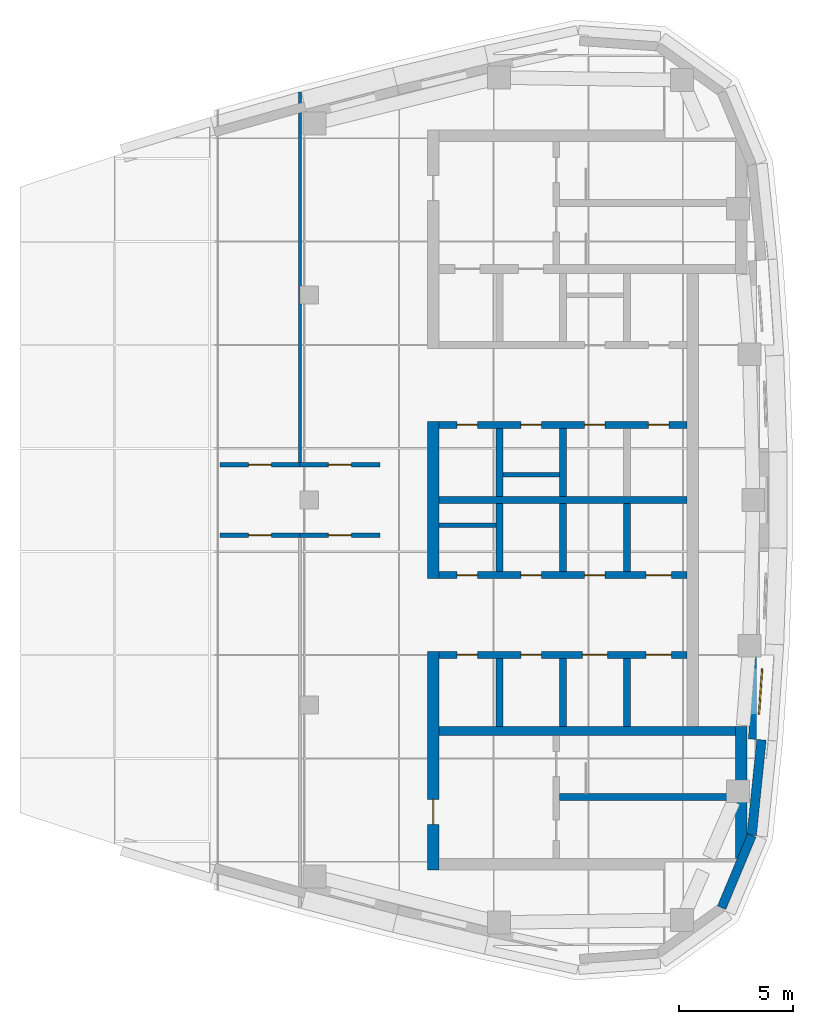
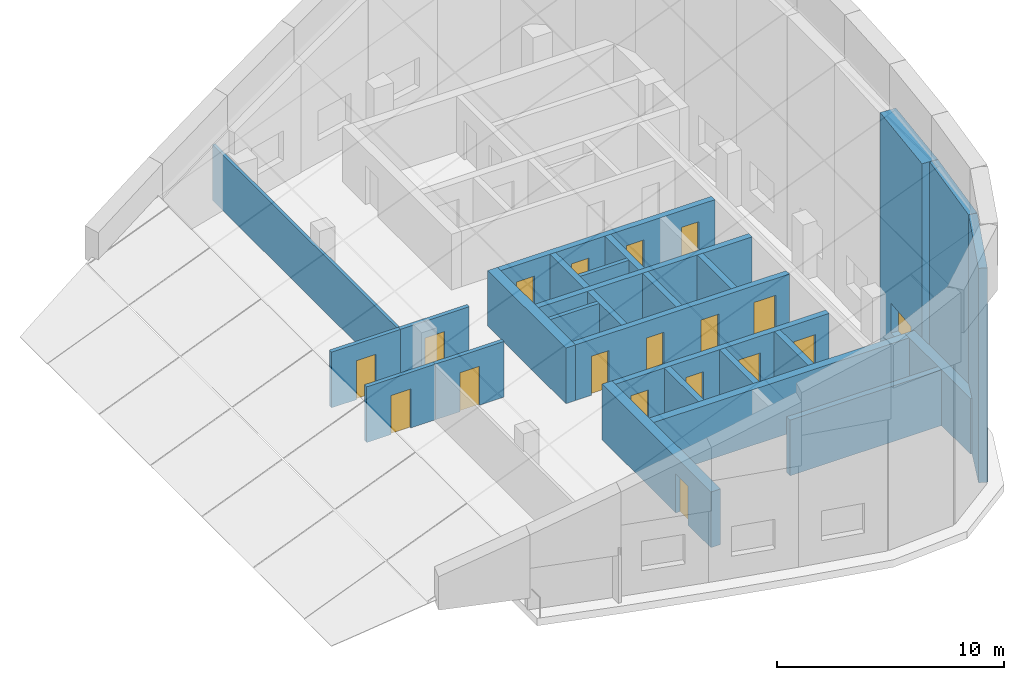
# One storey, part 3 of 6: 27 walls, 17 doors, 1 window, 18 openings.
"""IFC4 building model written with IfcOpenShell, lengths in metres."""

from ifc_helpers import new_model, si_unit, direction, frame, frame_2d, origin, place, context, subcontext, project, spatial, polyline, rectangle, outline, extrude, material, layer, layer_set, type_object, element, fill, save


model = new_model("IFC4")

# Units and contexts
model_context = context("Model", 3, precision=1e-05, world=origin(), true_north=direction((0.0, 1.0)))
body_context = subcontext(model_context, "Body", "Model", "MODEL_VIEW")
ifc_project = project(units=[si_unit("LENGTHUNIT", "METRE"), si_unit("AREAUNIT", "SQUARE_METRE"), si_unit("VOLUMEUNIT", "CUBIC_METRE"), si_unit("PLANEANGLEUNIT", "RADIAN"), si_unit("MASSUNIT", "GRAM", prefix="KILO")], contexts=[model_context])

# Site, building, storey
site_placement = place(None, origin())
site = spatial("IfcSite", under=ifc_project, at=site_placement, CompositionType="ELEMENT")
building_placement = place(site_placement, origin())
building = spatial("IfcBuilding", under=site, at=building_placement, Name="Ostrand Prow Hotel Tower", CompositionType="ELEMENT")
storey_placement = place(building_placement, frame((0.0, 0.0, 337.39990234375)))
storey = spatial("IfcBuildingStorey", under=building, at=storey_placement, Name="C7", CompositionType="ELEMENT", Elevation=337.39990234375)

# Wall
ifc_material_1 = material(Name="Concrete C40/50", Category="concrete")
ifc_layer_1 = layer(ifc_material_1, 0.300048828125)
ifc_layer_set_1 = layer_set([ifc_layer_1], Name="Concrete C40/50")
wall_type_1 = type_object("IfcWallType", Name="Core wall 300 C40/50", PredefinedType="SHEAR", material=ifc_layer_set_1)
wall_1_placement = place(storey_placement, frame((50.699951171875, 0.0, 0.0), z_axis=(0.0, 0.0, 1.0), x_axis=(1.0, 0.0, 0.0)))
element("IfcWall", 1, at=wall_1_placement, inside=storey, type_object=wall_type_1, Name="Core wall PW-C", PredefinedType="SHEAR", context=body_context, shape_type="SweptSolid", body=[
    extrude(rectangle(XDim=10.900146484375, YDim=0.300048828125, at=frame_2d((5.4501953125, 0.0))), origin(), (0.0, 0.0, 1.0), 3.0),
])

# Wall, openings, doors
wall_2_placement = place(storey_placement, frame((50.699951171875, 3.300048828125, 0.0), z_axis=(0.0, 0.0, 1.0), x_axis=(1.0, 0.0, 0.0)))
wall_2 = element("IfcWall", 2, at=wall_2_placement, inside=storey, type_object=wall_type_1, Name="Core wall PW-L1-N", PredefinedType="SHEAR", context=body_context, shape_type="SweptSolid", body=[
    extrude(rectangle(XDim=10.900146484375, YDim=0.300048828125, at=frame_2d((5.4501953125, 0.0))), origin(), (0.0, 0.0, 1.0), 3.0),
])
opening_1_placement = place(wall_2_placement, frame((0.800048828125, 0.0, 0.0)))
opening_1 = element("IfcOpeningElement", 3, at=opening_1_placement, cuts=wall_2, Name="Opening FD2", PredefinedType="OPENING", context=body_context, shape_type="SweptSolid", body=[
    extrude(rectangle(XDim=0.89990234375, YDim=2.10009765625, at=frame_2d((0.449951171875, 1.050048828125))), frame((0.0, 0.159912109375, 0.0), z_axis=(0.0, -1.0, 0.0), x_axis=(1.0, 0.0, 0.0)), (0.0, 0.0, 1.0), 0.320068359375),
])
opening_2_placement = place(wall_2_placement, frame((3.60009765625, 0.0, 0.0)))
opening_2 = element("IfcOpeningElement", 4, at=opening_2_placement, cuts=wall_2, Name="Opening FD2", PredefinedType="OPENING", context=body_context, shape_type="SweptSolid", body=[
    extrude(rectangle(XDim=0.89990234375, YDim=2.10009765625, at=frame_2d((0.449951171875, 1.050048828125))), frame((0.0, 0.159912109375, 0.0), z_axis=(0.0, -1.0, 0.0), x_axis=(1.0, 0.0, 0.0)), (0.0, 0.0, 1.0), 0.320068359375),
])
opening_3_placement = place(wall_2_placement, frame((6.39990234375, 0.0, 0.0)))
opening_3 = element("IfcOpeningElement", 5, at=opening_3_placement, cuts=wall_2, Name="Opening FD2", PredefinedType="OPENING", context=body_context, shape_type="SweptSolid", body=[
    extrude(rectangle(XDim=0.89990234375, YDim=2.10009765625, at=frame_2d((0.449951171875, 1.050048828125))), frame((0.0, 0.159912109375, 0.0), z_axis=(0.0, -1.0, 0.0), x_axis=(1.0, 0.0, 0.0)), (0.0, 0.0, 1.0), 0.320068359375),
])
opening_4_placement = place(wall_2_placement, frame((9.199951171875, 0.0, 0.0)))
opening_4 = element("IfcOpeningElement", 6, at=opening_4_placement, cuts=wall_2, Name="Opening FD2", PredefinedType="OPENING", context=body_context, shape_type="SweptSolid", body=[
    extrude(rectangle(XDim=0.89990234375, YDim=2.10009765625, at=frame_2d((0.449951171875, 1.050048828125))), frame((0.0, 0.159912109375, 0.0), z_axis=(0.0, -1.0, 0.0), x_axis=(1.0, 0.0, 0.0)), (0.0, 0.0, 1.0), 0.320068359375),
])
ifc_material_2 = material(Name="Steel fire door", Category="steel")
door_type_1 = type_object("IfcDoorType", Name="Fire door 900 EI120", OperationType="SINGLE_SWING_LEFT", PredefinedType="DOOR", material=ifc_material_2)
door_1_placement = place(opening_1_placement, origin())
door_1 = element("IfcDoor", 7, at=door_1_placement, inside=storey, type_object=door_type_1, Name="DOOR", OperationType="SINGLE_SWING_LEFT", OverallHeight=2.10009765625, OverallWidth=0.89990234375, PredefinedType="DOOR", context=body_context, shape_type="SweptSolid", body=[
    extrude(rectangle(XDim=0.89990234375, YDim=2.10009765625, at=frame_2d((0.449951171875, 1.050048828125))), frame((0.0, 0.02490234375, 0.0), z_axis=(0.0, -1.0, 0.0), x_axis=(1.0, 0.0, 0.0)), (0.0, 0.0, 1.0), 0.050048828125),
])
fill(opening_1, door_1)
door_2_placement = place(opening_2_placement, origin())
door_2 = element("IfcDoor", 8, at=door_2_placement, inside=storey, type_object=door_type_1, Name="DOOR", OperationType="SINGLE_SWING_LEFT", OverallHeight=2.10009765625, OverallWidth=0.89990234375, PredefinedType="DOOR", context=body_context, shape_type="SweptSolid", body=[
    extrude(rectangle(XDim=0.89990234375, YDim=2.10009765625, at=frame_2d((0.449951171875, 1.050048828125))), frame((0.0, 0.02490234375, 0.0), z_axis=(0.0, -1.0, 0.0), x_axis=(1.0, 0.0, 0.0)), (0.0, 0.0, 1.0), 0.050048828125),
])
fill(opening_2, door_2)
door_3_placement = place(opening_3_placement, origin())
door_3 = element("IfcDoor", 9, at=door_3_placement, inside=storey, type_object=door_type_1, Name="DOOR", OperationType="SINGLE_SWING_LEFT", OverallHeight=2.10009765625, OverallWidth=0.89990234375, PredefinedType="DOOR", context=body_context, shape_type="SweptSolid", body=[
    extrude(rectangle(XDim=0.89990234375, YDim=2.10009765625, at=frame_2d((0.449951171875, 1.050048828125))), frame((0.0, 0.02490234375, 0.0), z_axis=(0.0, -1.0, 0.0), x_axis=(1.0, 0.0, 0.0)), (0.0, 0.0, 1.0), 0.050048828125),
])
fill(opening_3, door_3)
door_4_placement = place(opening_4_placement, origin())
door_4 = element("IfcDoor", 10, at=door_4_placement, inside=storey, type_object=door_type_1, Name="DOOR", OperationType="SINGLE_SWING_LEFT", OverallHeight=2.10009765625, OverallWidth=0.89990234375, PredefinedType="DOOR", context=body_context, shape_type="SweptSolid", body=[
    extrude(rectangle(XDim=0.89990234375, YDim=2.10009765625, at=frame_2d((0.449951171875, 1.050048828125))), frame((0.0, 0.02490234375, 0.0), z_axis=(0.0, -1.0, 0.0), x_axis=(1.0, 0.0, 0.0)), (0.0, 0.0, 1.0), 0.050048828125),
])
fill(opening_4, door_4)

# Walls
for number, where, z_axis, x_axis, name in (
    (11, (53.35009765625, 0.14990234375, 0.0), (0.0, 0.0, 1.0), (0.0, 1.0, 0.0), "Core wall PW-R1-NB"),
    (12, (56.14990234375, 0.14990234375, 0.0), (0.0, 0.0, 1.0), (0.0, 1.0, 0.0), "Core wall PW-R2-NB"),
):
    element("IfcWall", number, at=place(storey_placement, frame(where, z_axis=z_axis, x_axis=x_axis)), inside=storey, type_object=wall_type_1, Name=name, PredefinedType="SHEAR", context=body_context, shape_type="SweptSolid", body=[
        extrude(rectangle(XDim=3.0, YDim=0.300048828125, at=frame_2d((1.5, 0.0))), origin(), (0.0, 0.0, 1.0), 3.0),
    ])

# Wall, openings, doors
wall_3_placement = place(storey_placement, frame((50.699951171875, -3.300048828125, 0.0), z_axis=(0.0, 0.0, 1.0), x_axis=(1.0, 0.0, 0.0)))
wall_3 = element("IfcWall", 13, at=wall_3_placement, inside=storey, type_object=wall_type_1, Name="Core wall PW-L1-S", PredefinedType="SHEAR", context=body_context, shape_type="SweptSolid", body=[
    extrude(rectangle(XDim=10.900146484375, YDim=0.300048828125, at=frame_2d((5.4501953125, 0.0))), origin(), (0.0, 0.0, 1.0), 3.0),
])
opening_5_placement = place(wall_3_placement, frame((9.10009765625, 0.0, 0.0)))
opening_5 = element("IfcOpeningElement", 14, at=opening_5_placement, cuts=wall_3, Name="Opening LD", PredefinedType="OPENING", context=body_context, shape_type="SweptSolid", body=[
    extrude(rectangle(XDim=1.10009765625, YDim=2.10009765625, at=frame_2d((0.550048828125, 1.050048828125))), frame((0.0, 0.159912109375, 0.0), z_axis=(0.0, -1.0, 0.0), x_axis=(1.0, 0.0, 0.0)), (0.0, 0.0, 1.0), 0.320068359375),
])
opening_6_placement = place(wall_3_placement, frame((0.800048828125, 0.0, 0.0)))
opening_6 = element("IfcOpeningElement", 15, at=opening_6_placement, cuts=wall_3, Name="Opening FD2", PredefinedType="OPENING", context=body_context, shape_type="SweptSolid", body=[
    extrude(rectangle(XDim=0.89990234375, YDim=2.10009765625, at=frame_2d((0.449951171875, 1.050048828125))), frame((0.0, 0.159912109375, 0.0), z_axis=(0.0, -1.0, 0.0), x_axis=(1.0, 0.0, 0.0)), (0.0, 0.0, 1.0), 0.320068359375),
])
opening_7_placement = place(wall_3_placement, frame((3.60009765625, 0.0, 0.0)))
opening_7 = element("IfcOpeningElement", 16, at=opening_7_placement, cuts=wall_3, Name="Opening FD2", PredefinedType="OPENING", context=body_context, shape_type="SweptSolid", body=[
    extrude(rectangle(XDim=0.89990234375, YDim=2.10009765625, at=frame_2d((0.449951171875, 1.050048828125))), frame((0.0, 0.159912109375, 0.0), z_axis=(0.0, -1.0, 0.0), x_axis=(1.0, 0.0, 0.0)), (0.0, 0.0, 1.0), 0.320068359375),
])
opening_8_placement = place(wall_3_placement, frame((6.39990234375, 0.0, 0.0)))
opening_8 = element("IfcOpeningElement", 17, at=opening_8_placement, cuts=wall_3, Name="Opening FD2", PredefinedType="OPENING", context=body_context, shape_type="SweptSolid", body=[
    extrude(rectangle(XDim=0.89990234375, YDim=2.10009765625, at=frame_2d((0.449951171875, 1.050048828125))), frame((0.0, 0.159912109375, 0.0), z_axis=(0.0, -1.0, 0.0), x_axis=(1.0, 0.0, 0.0)), (0.0, 0.0, 1.0), 0.320068359375),
])
door_5_placement = place(opening_6_placement, origin())
door_5 = element("IfcDoor", 18, at=door_5_placement, inside=storey, type_object=door_type_1, Name="DOOR", OperationType="SINGLE_SWING_LEFT", OverallHeight=2.10009765625, OverallWidth=0.89990234375, PredefinedType="DOOR", context=body_context, shape_type="SweptSolid", body=[
    extrude(rectangle(XDim=0.89990234375, YDim=2.10009765625, at=frame_2d((0.449951171875, 1.050048828125))), frame((0.0, 0.02490234375, 0.0), z_axis=(0.0, -1.0, 0.0), x_axis=(1.0, 0.0, 0.0)), (0.0, 0.0, 1.0), 0.050048828125),
])
fill(opening_6, door_5)
door_6_placement = place(opening_7_placement, origin())
door_6 = element("IfcDoor", 19, at=door_6_placement, inside=storey, type_object=door_type_1, Name="DOOR", OperationType="SINGLE_SWING_LEFT", OverallHeight=2.10009765625, OverallWidth=0.89990234375, PredefinedType="DOOR", context=body_context, shape_type="SweptSolid", body=[
    extrude(rectangle(XDim=0.89990234375, YDim=2.10009765625, at=frame_2d((0.449951171875, 1.050048828125))), frame((0.0, 0.02490234375, 0.0), z_axis=(0.0, -1.0, 0.0), x_axis=(1.0, 0.0, 0.0)), (0.0, 0.0, 1.0), 0.050048828125),
])
fill(opening_7, door_6)
door_7_placement = place(opening_8_placement, origin())
door_7 = element("IfcDoor", 20, at=door_7_placement, inside=storey, type_object=door_type_1, Name="DOOR", OperationType="SINGLE_SWING_LEFT", OverallHeight=2.10009765625, OverallWidth=0.89990234375, PredefinedType="DOOR", context=body_context, shape_type="SweptSolid", body=[
    extrude(rectangle(XDim=0.89990234375, YDim=2.10009765625, at=frame_2d((0.449951171875, 1.050048828125))), frame((0.0, 0.02490234375, 0.0), z_axis=(0.0, -1.0, 0.0), x_axis=(1.0, 0.0, 0.0)), (0.0, 0.0, 1.0), 0.050048828125),
])
fill(opening_8, door_7)
ifc_material_3 = material(Name="Stainless steel door", Category="steel")
door_type_2 = type_object("IfcDoorType", Name="Lift landing door 1100", OperationType="DOUBLE_DOOR_SLIDING", PredefinedType="DOOR", material=ifc_material_3)
door_8_placement = place(opening_5_placement, origin())
door_8 = element("IfcDoor", 21, at=door_8_placement, inside=storey, type_object=door_type_2, Name="LIFT LANDING DOOR", OperationType="DOUBLE_DOOR_SLIDING", OverallHeight=2.10009765625, OverallWidth=1.10009765625, PredefinedType="DOOR", context=body_context, shape_type="SweptSolid", body=[
    extrude(rectangle(XDim=1.10009765625, YDim=2.10009765625, at=frame_2d((0.550048828125, 1.050048828125))), frame((0.0, 0.02490234375, 0.0), z_axis=(0.0, -1.0, 0.0), x_axis=(1.0, 0.0, 0.0)), (0.0, 0.0, 1.0), 0.050048828125),
])
fill(opening_5, door_8)

wall_4_placement = place(storey_placement, frame((50.699951171875, -6.800048828125, 0.0), z_axis=(0.0, 0.0, 1.0), x_axis=(1.0, 0.0, 0.0)))
wall_4 = element("IfcWall", 22, at=wall_4_placement, inside=storey, type_object=wall_type_1, Name="Core wall PW-L2-S", PredefinedType="SHEAR", context=body_context, shape_type="SweptSolid", body=[
    extrude(rectangle(XDim=10.900146484375, YDim=0.300048828125, at=frame_2d((5.4501953125, 0.0))), origin(), (0.0, 0.0, 1.0), 3.0),
])
opening_9_placement = place(wall_4_placement, frame((6.300048828125, 0.0, 0.0)))
opening_9 = element("IfcOpeningElement", 23, at=opening_9_placement, cuts=wall_4, Name="Opening LD", PredefinedType="OPENING", context=body_context, shape_type="SweptSolid", body=[
    extrude(rectangle(XDim=1.10009765625, YDim=2.10009765625, at=frame_2d((0.550048828125, 1.050048828125))), frame((0.0, 0.159912109375, 0.0), z_axis=(0.0, -1.0, 0.0), x_axis=(1.0, 0.0, 0.0)), (0.0, 0.0, 1.0), 0.320068359375),
])
opening_10_placement = place(wall_4_placement, frame((9.10009765625, 0.0, 0.0)))
opening_10 = element("IfcOpeningElement", 24, at=opening_10_placement, cuts=wall_4, Name="Opening LD", PredefinedType="OPENING", context=body_context, shape_type="SweptSolid", body=[
    extrude(rectangle(XDim=1.10009765625, YDim=2.10009765625, at=frame_2d((0.550048828125, 1.050048828125))), frame((0.0, 0.159912109375, 0.0), z_axis=(0.0, -1.0, 0.0), x_axis=(1.0, 0.0, 0.0)), (0.0, 0.0, 1.0), 0.320068359375),
])
opening_11_placement = place(wall_4_placement, frame((0.800048828125, 0.0, 0.0)))
opening_11 = element("IfcOpeningElement", 25, at=opening_11_placement, cuts=wall_4, Name="Opening FD2", PredefinedType="OPENING", context=body_context, shape_type="SweptSolid", body=[
    extrude(rectangle(XDim=0.89990234375, YDim=2.10009765625, at=frame_2d((0.449951171875, 1.050048828125))), frame((0.0, 0.159912109375, 0.0), z_axis=(0.0, -1.0, 0.0), x_axis=(1.0, 0.0, 0.0)), (0.0, 0.0, 1.0), 0.320068359375),
])
opening_12_placement = place(wall_4_placement, frame((3.60009765625, 0.0, 0.0)))
opening_12 = element("IfcOpeningElement", 26, at=opening_12_placement, cuts=wall_4, Name="Opening FD2", PredefinedType="OPENING", context=body_context, shape_type="SweptSolid", body=[
    extrude(rectangle(XDim=0.89990234375, YDim=2.10009765625, at=frame_2d((0.449951171875, 1.050048828125))), frame((0.0, 0.159912109375, 0.0), z_axis=(0.0, -1.0, 0.0), x_axis=(1.0, 0.0, 0.0)), (0.0, 0.0, 1.0), 0.320068359375),
])
door_9_placement = place(opening_11_placement, origin())
door_9 = element("IfcDoor", 27, at=door_9_placement, inside=storey, type_object=door_type_1, Name="DOOR", OperationType="SINGLE_SWING_LEFT", OverallHeight=2.10009765625, OverallWidth=0.89990234375, PredefinedType="DOOR", context=body_context, shape_type="SweptSolid", body=[
    extrude(rectangle(XDim=0.89990234375, YDim=2.10009765625, at=frame_2d((0.449951171875, 1.050048828125))), frame((0.0, 0.02490234375, 0.0), z_axis=(0.0, -1.0, 0.0), x_axis=(1.0, 0.0, 0.0)), (0.0, 0.0, 1.0), 0.050048828125),
])
fill(opening_11, door_9)
door_10_placement = place(opening_12_placement, origin())
door_10 = element("IfcDoor", 28, at=door_10_placement, inside=storey, type_object=door_type_1, Name="DOOR", OperationType="SINGLE_SWING_LEFT", OverallHeight=2.10009765625, OverallWidth=0.89990234375, PredefinedType="DOOR", context=body_context, shape_type="SweptSolid", body=[
    extrude(rectangle(XDim=0.89990234375, YDim=2.10009765625, at=frame_2d((0.449951171875, 1.050048828125))), frame((0.0, 0.02490234375, 0.0), z_axis=(0.0, -1.0, 0.0), x_axis=(1.0, 0.0, 0.0)), (0.0, 0.0, 1.0), 0.050048828125),
])
fill(opening_12, door_10)
door_11_placement = place(opening_9_placement, origin())
door_11 = element("IfcDoor", 29, at=door_11_placement, inside=storey, type_object=door_type_2, Name="LIFT LANDING DOOR", OperationType="DOUBLE_DOOR_SLIDING", OverallHeight=2.10009765625, OverallWidth=1.10009765625, PredefinedType="DOOR", context=body_context, shape_type="SweptSolid", body=[
    extrude(rectangle(XDim=1.10009765625, YDim=2.10009765625, at=frame_2d((0.550048828125, 1.050048828125))), frame((0.0, 0.02490234375, 0.0), z_axis=(0.0, -1.0, 0.0), x_axis=(1.0, 0.0, 0.0)), (0.0, 0.0, 1.0), 0.050048828125),
])
fill(opening_9, door_11)
door_12_placement = place(opening_10_placement, origin())
door_12 = element("IfcDoor", 30, at=door_12_placement, inside=storey, type_object=door_type_2, Name="LIFT LANDING DOOR", OperationType="DOUBLE_DOOR_SLIDING", OverallHeight=2.10009765625, OverallWidth=1.10009765625, PredefinedType="DOOR", context=body_context, shape_type="SweptSolid", body=[
    extrude(rectangle(XDim=1.10009765625, YDim=2.10009765625, at=frame_2d((0.550048828125, 1.050048828125))), frame((0.0, 0.02490234375, 0.0), z_axis=(0.0, -1.0, 0.0), x_axis=(1.0, 0.0, 0.0)), (0.0, 0.0, 1.0), 0.050048828125),
])
fill(opening_10, door_12)

# Walls
for number, where, z_axis, x_axis, name in (
    (31, (53.35009765625, -3.14990234375, 0.0), (0.0, 0.0, 1.0), (0.0, 1.0, 0.0), "Core wall PW-R1-SB"),
    (32, (53.35009765625, -9.949951171875, 0.0), (0.0, 0.0, 1.0), (0.0, 1.0, 0.0), "Core wall PW-R1-SA"),
    (33, (56.14990234375, -3.14990234375, 0.0), (0.0, 0.0, 1.0), (0.0, 1.0, 0.0), "Core wall PW-R2-SB"),
    (34, (56.14990234375, -9.949951171875, 0.0), (0.0, 0.0, 1.0), (0.0, 1.0, 0.0), "Core wall PW-R2-SA"),
    (35, (58.949951171875, -3.14990234375, 0.0), (0.0, 0.0, 1.0), (0.0, 1.0, 0.0), "Core wall PW-R3-SB"),
    (36, (58.949951171875, -9.949951171875, 0.0), (0.0, 0.0, 1.0), (0.0, 1.0, 0.0), "Core wall PW-R3-SA"),
):
    element("IfcWall", number, at=place(storey_placement, frame(where, z_axis=z_axis, x_axis=x_axis)), inside=storey, type_object=wall_type_1, Name=name, PredefinedType="SHEAR", context=body_context, shape_type="SweptSolid", body=[
        extrude(rectangle(XDim=3.0, YDim=0.300048828125, at=frame_2d((1.5, 0.0))), origin(), (0.0, 0.0, 1.0), 3.0),
    ])
wall_5_placement = place(storey_placement, frame((56.0, -13.050048828125, 0.0), z_axis=(0.0, 0.0, 1.0), x_axis=(1.0, 0.0, 0.0)))
element("IfcWall", 37, at=wall_5_placement, inside=storey, type_object=wall_type_1, Name="Core wall PW-ST2R", PredefinedType="SHEAR", context=body_context, shape_type="SweptSolid", body=[
    extrude(rectangle(XDim=7.719970703125, YDim=0.300048828125, at=frame_2d((3.85986328125, 0.0))), origin(), (0.0, 0.0, 1.0), 3.0),
])
ifc_material_4 = material(Name="Concrete C40/50", Category="concrete")
ifc_layer_2 = layer(ifc_material_4, 0.39990234375)
ifc_layer_set_2 = layer_set([ifc_layer_2], Name="Concrete C40/50")
wall_type_2 = type_object("IfcWallType", Name="Core wall 400 C40/50", PredefinedType="SHEAR", material=ifc_layer_set_2)
wall_6_placement = place(storey_placement, frame((50.699951171875, -10.14990234375, 0.0), z_axis=(0.0, 0.0, 1.0), x_axis=(1.0, 0.0, 0.0)))
element("IfcWall", 38, at=wall_6_placement, inside=storey, type_object=wall_type_2, Name="Core wall PW-BS", PredefinedType="SHEAR", context=body_context, shape_type="SweptSolid", body=[
    extrude(rectangle(XDim=13.02001953125, YDim=0.39990234375, at=frame_2d((6.510009765625, 0.0))), origin(), (0.0, 0.0, 1.0), 3.0),
])
ifc_material_5 = material(Name="Concrete C40/50", Category="concrete")
ifc_layer_3 = layer(ifc_material_5, 0.5)
ifc_layer_set_3 = layer_set([ifc_layer_3], Name="Concrete C40/50")
wall_type_3 = type_object("IfcWallType", Name="Core wall 500 C40/50", PredefinedType="SHEAR", material=ifc_layer_set_3)
wall_7_placement = place(storey_placement, frame((50.449951171875, -3.449951171875, 0.0), z_axis=(0.0, 0.0, 1.0), x_axis=(0.0, 1.0, 0.0)))
element("IfcWall", 39, at=wall_7_placement, inside=storey, type_object=wall_type_3, Name="Core wall CW-W-C", PredefinedType="SHEAR", context=body_context, shape_type="SweptSolid", body=[
    extrude(rectangle(XDim=6.89990234375, YDim=0.5, at=frame_2d((3.449951171875, 0.0))), origin(), (0.0, 0.0, 1.0), 3.0),
])

# Wall, opening, door
wall_8_placement = place(storey_placement, frame((50.449951171875, -16.25, 0.0), z_axis=(0.0, 0.0, 1.0), x_axis=(0.0, 1.0, 0.0)))
wall_8 = element("IfcWall", 40, at=wall_8_placement, inside=storey, type_object=wall_type_3, Name="Core wall CW-W-S", PredefinedType="SHEAR", context=body_context, shape_type="SweptSolid", body=[
    extrude(rectangle(XDim=9.60009765625, YDim=0.5, at=frame_2d((4.800048828125, 0.0))), origin(), (0.0, 0.0, 1.0), 3.0),
])
opening_13_placement = place(wall_8_placement, frame((2.0, 0.0, 0.0)))
opening_13 = element("IfcOpeningElement", 41, at=opening_13_placement, cuts=wall_8, Name="Opening FD1", PredefinedType="OPENING", context=body_context, shape_type="SweptSolid", body=[
    extrude(rectangle(XDim=1.10009765625, YDim=2.10009765625, at=frame_2d((0.550048828125, 1.050048828125))), frame((0.0, 0.260009765625, 0.0), z_axis=(0.0, -1.0, 0.0), x_axis=(1.0, 0.0, 0.0)), (0.0, 0.0, 1.0), 0.52001953125),
])
ifc_material_6 = material(Name="Steel fire door", Category="steel")
door_type_3 = type_object("IfcDoorType", Name="Fire door 1100 EI120", OperationType="SINGLE_SWING_RIGHT", PredefinedType="DOOR", material=ifc_material_6)
door_13_placement = place(opening_13_placement, origin())
door_13 = element("IfcDoor", 42, at=door_13_placement, inside=storey, type_object=door_type_3, Name="FIRE DOOR", OperationType="SINGLE_SWING_RIGHT", OverallHeight=2.10009765625, OverallWidth=1.10009765625, PredefinedType="DOOR", context=body_context, shape_type="SweptSolid", body=[
    extrude(rectangle(XDim=1.10009765625, YDim=2.10009765625, at=frame_2d((0.550048828125, 1.050048828125))), frame((0.0, 0.02490234375, 0.0), z_axis=(0.0, -1.0, 0.0), x_axis=(1.0, 0.0, 0.0)), (0.0, 0.0, 1.0), 0.050048828125),
])
fill(opening_13, door_13)

# Walls
wall_9_placement = place(storey_placement, frame((63.969970703125, -15.75, 0.0), z_axis=(0.0, 0.0, 1.0), x_axis=(0.0, 1.0, 0.0)))
element("IfcWall", 43, at=wall_9_placement, inside=storey, type_object=wall_type_3, Name="Core wall CW-E-S", PredefinedType="SHEAR", context=body_context, shape_type="SweptSolid", body=[
    extrude(rectangle(XDim=5.800048828125, YDim=0.5, at=frame_2d((2.89990234375, 0.0))), origin(), (0.0, 0.0, 1.0), 3.0),
])
ifc_material_7 = material(Name="Plasterboard partition")
ifc_layer_4 = layer(ifc_material_7, 0.14990234375)
ifc_layer_set_4 = layer_set([ifc_layer_4], Name="Plasterboard partition")
wall_type_4 = type_object("IfcWallType", Name="Partition 150 room partition", PredefinedType="PARTITIONING", material=ifc_layer_set_4)
wall_10_placement = place(storey_placement, frame((44.594482421875, 1.542724609375, 0.0), z_axis=(0.0, 0.0, 1.0), x_axis=(0.0, 1.0, 0.0)))
element("IfcWall", 44, at=wall_10_placement, inside=storey, type_object=wall_type_4, Name="ROOM PARTITION", PredefinedType="PARTITIONING", context=body_context, shape_type="SweptSolid", body=[
    extrude(rectangle(XDim=16.3759765625, YDim=0.14990234375, at=frame_2d((8.18798828125, 0.0))), origin(), (0.0, 0.0, 1.0), 3.0),
])

# Wall, opening, door
ifc_material_8 = material(Name="Plasterboard partition")
ifc_layer_5 = layer(ifc_material_8, 0.199951171875)
ifc_layer_set_5 = layer_set([ifc_layer_5], Name="Plasterboard partition")
wall_type_5 = type_object("IfcWallType", Name="Partition 200 corridor wall", PredefinedType="PARTITIONING", material=ifc_layer_set_5)
wall_11_placement = place(storey_placement, frame((41.089111328125, -1.542724609375, 0.0), z_axis=(0.0, 0.0, 1.0), x_axis=(1.0, 0.0, 0.0)))
wall_11 = element("IfcWall", 45, at=wall_11_placement, inside=storey, type_object=wall_type_5, Name="CORRIDOR WALL", PredefinedType="PARTITIONING", context=body_context, shape_type="SweptSolid", body=[
    extrude(rectangle(XDim=3.50537109375, YDim=0.199951171875, at=frame_2d((1.752685546875, 0.0))), origin(), (0.0, 0.0, 1.0), 3.0),
])
opening_14_placement = place(wall_11_placement, frame((1.252685546875, 0.0, 0.0)))
opening_14 = element("IfcOpeningElement", 46, at=opening_14_placement, cuts=wall_11, Name="Opening D1", PredefinedType="OPENING", context=body_context, shape_type="SweptSolid", body=[
    extrude(rectangle(XDim=1.0, YDim=2.10009765625, at=frame_2d((0.5, 1.050048828125))), frame((0.0, 0.10986328125, 0.0), z_axis=(0.0, -1.0, 0.0), x_axis=(1.0, 0.0, 0.0)), (0.0, 0.0, 1.0), 0.219970703125),
])
ifc_material_9 = material(Name="Timber door leaf", Category="wood")
door_type_4 = type_object("IfcDoorType", Name="Guest room door 1000", OperationType="SINGLE_SWING_LEFT", PredefinedType="DOOR", material=ifc_material_9)
door_14_placement = place(opening_14_placement, origin())
door_14 = element("IfcDoor", 47, at=door_14_placement, inside=storey, type_object=door_type_4, Name="DOOR", OperationType="SINGLE_SWING_LEFT", OverallHeight=2.10009765625, OverallWidth=1.0, PredefinedType="DOOR", context=body_context, shape_type="SweptSolid", body=[
    extrude(rectangle(XDim=1.0, YDim=2.10009765625, at=frame_2d((0.5, 1.050048828125))), frame((0.0, 0.02490234375, 0.0), z_axis=(0.0, -1.0, 0.0), x_axis=(1.0, 0.0, 0.0)), (0.0, 0.0, 1.0), 0.050048828125),
])
fill(opening_14, door_14)

wall_12_placement = place(storey_placement, frame((44.594482421875, -1.542724609375, 0.0), z_axis=(0.0, 0.0, 1.0), x_axis=(1.0, 0.0, 0.0)))
wall_12 = element("IfcWall", 48, at=wall_12_placement, inside=storey, type_object=wall_type_5, Name="CORRIDOR WALL", PredefinedType="PARTITIONING", context=body_context, shape_type="SweptSolid", body=[
    extrude(rectangle(XDim=3.505615234375, YDim=0.199951171875, at=frame_2d((1.7529296875, 0.0))), origin(), (0.0, 0.0, 1.0), 3.0),
])
opening_15_placement = place(wall_12_placement, frame((1.252685546875, 0.0, 0.0)))
opening_15 = element("IfcOpeningElement", 49, at=opening_15_placement, cuts=wall_12, Name="Opening D1R", PredefinedType="OPENING", context=body_context, shape_type="SweptSolid", body=[
    extrude(rectangle(XDim=1.0, YDim=2.10009765625, at=frame_2d((0.5, 1.050048828125))), frame((0.0, 0.10986328125, 0.0), z_axis=(0.0, -1.0, 0.0), x_axis=(1.0, 0.0, 0.0)), (0.0, 0.0, 1.0), 0.219970703125),
])
ifc_material_10 = material(Name="Timber door leaf", Category="wood")
door_type_5 = type_object("IfcDoorType", Name="Guest room door 1000 right", OperationType="SINGLE_SWING_RIGHT", PredefinedType="DOOR", material=ifc_material_10)
door_15_placement = place(opening_15_placement, origin())
door_15 = element("IfcDoor", 50, at=door_15_placement, inside=storey, type_object=door_type_5, Name="DOOR", OperationType="SINGLE_SWING_RIGHT", OverallHeight=2.10009765625, OverallWidth=1.0, PredefinedType="DOOR", context=body_context, shape_type="SweptSolid", body=[
    extrude(rectangle(XDim=1.0, YDim=2.10009765625, at=frame_2d((0.5, 1.050048828125))), frame((0.0, 0.02490234375, 0.0), z_axis=(0.0, -1.0, 0.0), x_axis=(1.0, 0.0, 0.0)), (0.0, 0.0, 1.0), 0.050048828125),
])
fill(opening_15, door_15)

wall_13_placement = place(storey_placement, frame((41.089111328125, 1.542724609375, 0.0), z_axis=(0.0, 0.0, 1.0), x_axis=(1.0, 0.0, 0.0)))
wall_13 = element("IfcWall", 51, at=wall_13_placement, inside=storey, type_object=wall_type_5, Name="CORRIDOR WALL", PredefinedType="PARTITIONING", context=body_context, shape_type="SweptSolid", body=[
    extrude(rectangle(XDim=3.50537109375, YDim=0.199951171875, at=frame_2d((1.752685546875, 0.0))), origin(), (0.0, 0.0, 1.0), 3.0),
])
opening_16_placement = place(wall_13_placement, frame((1.252685546875, 0.0, 0.0)))
opening_16 = element("IfcOpeningElement", 52, at=opening_16_placement, cuts=wall_13, Name="Opening D1", PredefinedType="OPENING", context=body_context, shape_type="SweptSolid", body=[
    extrude(rectangle(XDim=1.0, YDim=2.10009765625, at=frame_2d((0.5, 1.050048828125))), frame((0.0, 0.10986328125, 0.0), z_axis=(0.0, -1.0, 0.0), x_axis=(1.0, 0.0, 0.0)), (0.0, 0.0, 1.0), 0.219970703125),
])
door_16_placement = place(opening_16_placement, origin())
door_16 = element("IfcDoor", 53, at=door_16_placement, inside=storey, type_object=door_type_4, Name="DOOR", OperationType="SINGLE_SWING_LEFT", OverallHeight=2.10009765625, OverallWidth=1.0, PredefinedType="DOOR", context=body_context, shape_type="SweptSolid", body=[
    extrude(rectangle(XDim=1.0, YDim=2.10009765625, at=frame_2d((0.5, 1.050048828125))), frame((0.0, 0.02490234375, 0.0), z_axis=(0.0, -1.0, 0.0), x_axis=(1.0, 0.0, 0.0)), (0.0, 0.0, 1.0), 0.050048828125),
])
fill(opening_16, door_16)

wall_14_placement = place(storey_placement, frame((44.594482421875, 1.542724609375, 0.0), z_axis=(0.0, 0.0, 1.0), x_axis=(1.0, 0.0, 0.0)))
wall_14 = element("IfcWall", 54, at=wall_14_placement, inside=storey, type_object=wall_type_5, Name="CORRIDOR WALL", PredefinedType="PARTITIONING", context=body_context, shape_type="SweptSolid", body=[
    extrude(rectangle(XDim=3.505615234375, YDim=0.199951171875, at=frame_2d((1.7529296875, 0.0))), origin(), (0.0, 0.0, 1.0), 3.0),
])
opening_17_placement = place(wall_14_placement, frame((1.252685546875, 0.0, 0.0)))
opening_17 = element("IfcOpeningElement", 55, at=opening_17_placement, cuts=wall_14, Name="Opening D1R", PredefinedType="OPENING", context=body_context, shape_type="SweptSolid", body=[
    extrude(rectangle(XDim=1.0, YDim=2.10009765625, at=frame_2d((0.5, 1.050048828125))), frame((0.0, 0.10986328125, 0.0), z_axis=(0.0, -1.0, 0.0), x_axis=(1.0, 0.0, 0.0)), (0.0, 0.0, 1.0), 0.219970703125),
])
door_17_placement = place(opening_17_placement, origin())
door_17 = element("IfcDoor", 56, at=door_17_placement, inside=storey, type_object=door_type_5, Name="DOOR", OperationType="SINGLE_SWING_RIGHT", OverallHeight=2.10009765625, OverallWidth=1.0, PredefinedType="DOOR", context=body_context, shape_type="SweptSolid", body=[
    extrude(rectangle(XDim=1.0, YDim=2.10009765625, at=frame_2d((0.5, 1.050048828125))), frame((0.0, 0.02490234375, 0.0), z_axis=(0.0, -1.0, 0.0), x_axis=(1.0, 0.0, 0.0)), (0.0, 0.0, 1.0), 0.050048828125),
])
fill(opening_17, door_17)

# Walls
ifc_material_11 = material(Name="Plasterboard partition")
ifc_layer_6 = layer(ifc_material_11, 0.199951171875)
ifc_layer_set_6 = layer_set([ifc_layer_6], Name="Plasterboard partition")
wall_type_6 = type_object("IfcWallType", Name="Partition 200 riser wall", PredefinedType="PARTITIONING", material=ifc_layer_set_6)
for number, where, z_axis, x_axis, name in (
    (57, (53.5, 1.110107421875, 0.0), (0.0, 0.0, 1.0), (1.0, 0.0, 0.0), "RISER WALL"),
    (58, (53.199951171875, -1.110107421875, 0.0), (0.0, 0.0, 1.0), (-1.0, 0.0, 0.0), "RISER WALL"),
):
    element("IfcWall", number, at=place(storey_placement, frame(where, z_axis=z_axis, x_axis=x_axis)), inside=storey, type_object=wall_type_6, Name=name, PredefinedType="PARTITIONING", context=body_context, shape_type="SweptSolid", body=[
        extrude(rectangle(XDim=2.5, YDim=0.199951171875, at=frame_2d((1.25, 0.0))), origin(), (0.0, 0.0, 1.0), 3.0),
    ])
ifc_material_12 = material(Name="Precast concrete C40/50", Category="concrete")
ifc_layer_7 = layer(ifc_material_12, 0.39990234375)
ifc_layer_set_7 = layer_set([ifc_layer_7], Name="Precast concrete C40/50")
wall_type_7 = type_object("IfcWallType", Name="Stone-faced precast wall 400 mm", PredefinedType="NOTDEFINED", material=ifc_layer_set_7)
wall_15_placement = place(storey_placement, frame((63.11181640625, -17.906005859375, 0.0), z_axis=(0.0, 0.0, 1.0), x_axis=(0.385279586197, 0.922799891884, 0.0)))
element("IfcWall", 59, at=wall_15_placement, inside=storey, type_object=wall_type_7, Name="Crown side wall C7 18", PredefinedType="NOTDEFINED", context=body_context, shape_type="SweptSolid", body=[
    extrude(outline(polyline([(0.0, 0.0), (3.444580078125, 0.0), (3.444580078125, 12.093505859375), (0.0, 11.557373046875), (0.0, 0.0)])), frame((0.0, 0.199951171875, 0.0), z_axis=(0.0, -1.0, 0.0), x_axis=(1.0, 0.0, 0.0)), (0.0, 0.0, 1.0), 0.39990234375),
])
wall_16_placement = place(storey_placement, frame((64.43212890625, -14.726806640625, 0.0), z_axis=(0.0, 0.0, 1.0), x_axis=(0.102219795478, 0.994761837533, 0.0)))
element("IfcWall", 60, at=wall_16_placement, inside=storey, type_object=wall_type_7, Name="Crown side wall C7 19", PredefinedType="NOTDEFINED", context=body_context, shape_type="SweptSolid", body=[
    extrude(outline(polyline([(0.0, 0.0), (4.2177734375, 0.0), (4.2177734375, 12.267578125), (0.0, 12.093505859375), (0.0, 0.0)])), frame((0.0, 0.20703125, 0.0), z_axis=(0.0, -1.0, 0.0), x_axis=(1.0, 0.0, 0.0)), (0.0, 0.0, 1.0), 0.413818359375),
])

# Wall, opening, window
wall_17_placement = place(storey_placement, frame((64.67822265625, -10.518798828125, 0.0), z_axis=(0.0, 0.0, 1.0), x_axis=(0.068243871044, 0.997668669481, 0.0)))
wall_17 = element("IfcWall", 61, at=wall_17_placement, inside=storey, type_object=wall_type_7, Name="Crown side wall C7 20", PredefinedType="NOTDEFINED", context=body_context, shape_type="SweptSolid", body=[
    extrude(outline(polyline([(0.0, 0.0), (4.2177734375, 0.0), (4.2177734375, 12.3837890625), (0.0, 12.267578125), (0.0, 0.0)])), frame((0.0, 0.392578125, 0.0), z_axis=(0.0, -1.0, 0.0), x_axis=(1.0, 0.0, 0.0)), (0.0, 0.0, 1.0), 0.784912109375),
])
opening_18_placement = place(wall_17_placement, frame((1.10888671875, 0.0, 1.199951171875)))
opening_18 = element("IfcOpeningElement", 62, at=opening_18_placement, cuts=wall_17, Name="Opening WV1", PredefinedType="OPENING", context=body_context, shape_type="SweptSolid", body=[
    extrude(rectangle(XDim=2.0, YDim=1.60009765625, at=frame_2d((1.0, 0.800048828125))), frame((0.0, 0.40234375, 0.0), z_axis=(0.0, -1.0, 0.0), x_axis=(1.0, 0.0, 0.0)), (0.0, 0.0, 1.0), 0.804931640625),
])
ifc_material_13 = material(Name="Bronze anodised aluminium louvre", Category="aluminium")
window_type = type_object("IfcWindowType", Name="Louvre vent 2000x1600", PartitioningType="SINGLE_PANEL", PredefinedType="WINDOW", material=ifc_material_13)
window_placement = place(opening_18_placement, origin())
window = element("IfcWindow", 63, at=window_placement, inside=storey, type_object=window_type, Name="Louvre vent 20.1", OverallHeight=1.60009765625, OverallWidth=2.0, PartitioningType="SINGLE_PANEL", PredefinedType="WINDOW", context=body_context, shape_type="SweptSolid", body=[
    extrude(rectangle(XDim=2.0, YDim=1.60009765625, at=frame_2d((1.0, 0.800048828125))), frame((0.0, 0.030029296875, 0.0), z_axis=(0.0, -1.0, 0.0), x_axis=(1.0, 0.0, 0.0)), (0.0, 0.0, 1.0), 0.06005859375),
])
fill(opening_18, window)

save(model, "model.ifc")
